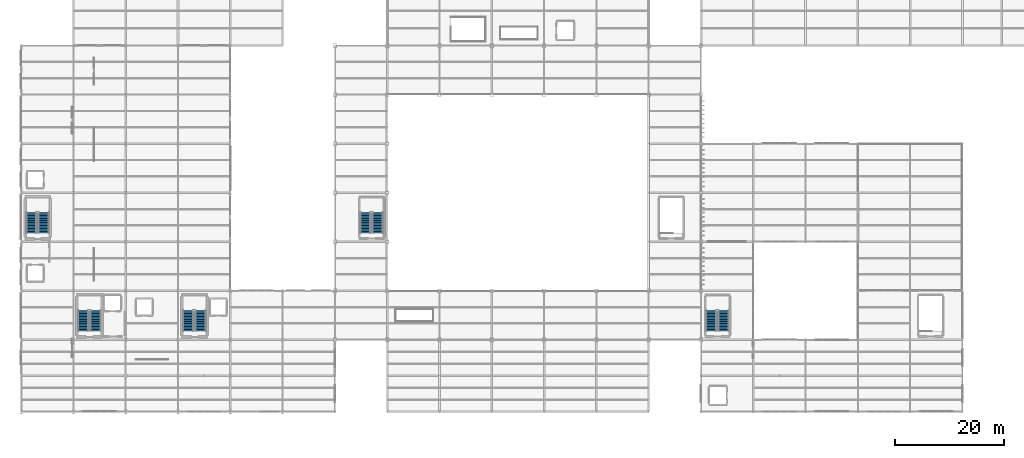
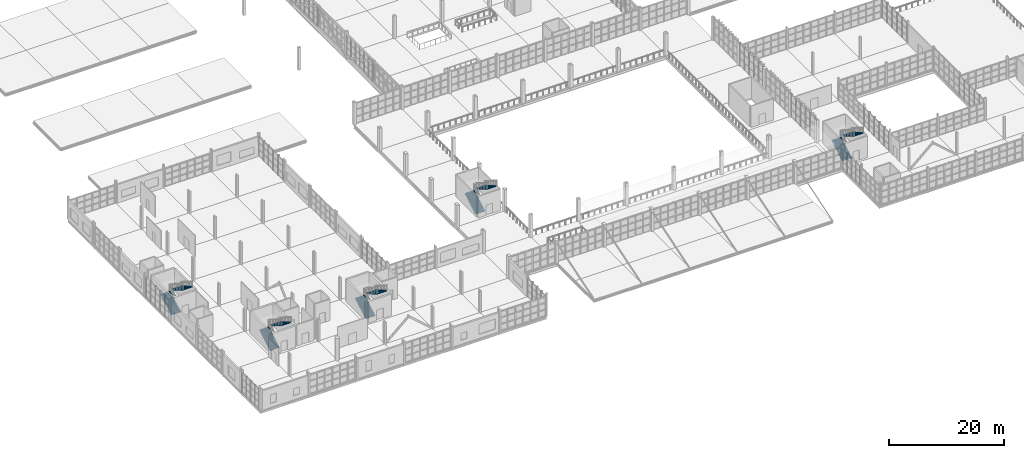
# One storey, part 112 of 120: 10 stair flights, 5 elements without a shape of their own.
"""IFC4 building model written with IfcOpenShell, lengths in metres."""

from ifc_helpers import new_model, si_unit, direction, frame, origin, place, context, subcontext, project, spatial, polyline, outline, extrude, material, type_object, element, aggregate, save


model = new_model("IFC4")

# Units and contexts
model_context = context("Model", 3, precision=1e-05, world=origin(), true_north=direction((0.0, 1.0)))
body_context = subcontext(model_context, "Body", "Model", "MODEL_VIEW")
ifc_project = project(units=[si_unit("LENGTHUNIT", "METRE"), si_unit("AREAUNIT", "SQUARE_METRE"), si_unit("VOLUMEUNIT", "CUBIC_METRE"), si_unit("PLANEANGLEUNIT", "RADIAN"), si_unit("MASSUNIT", "GRAM", prefix="KILO")], contexts=[model_context])

# Site, building, storey
site_placement = place(None, origin())
site = spatial("IfcSite", under=ifc_project, at=site_placement, CompositionType="ELEMENT")
building_placement = place(site_placement, origin())
building = spatial("IfcBuilding", under=site, at=building_placement, Name="Zarnetskaya Central Station", CompositionType="ELEMENT")
storey_placement = place(building_placement, frame((0.0, 0.0, 5.39990234375)))
storey = spatial("IfcBuildingStorey", under=building, at=storey_placement, Name="L01", CompositionType="ELEMENT", Elevation=5.39990234375)

# Stair, stair flights
ifc_material = material(Name="Concrete C30/37", Category="concrete")
stair_type_1 = type_object("IfcStairType", Name="STAIR-ASSY-01", PredefinedType="HALF_TURN_STAIR", material=ifc_material)
stair_1_placement = place(storey_placement, origin())
stair_1 = element("IfcStair", 1, at=stair_1_placement, inside=storey, type_object=stair_type_1, Name="Exit Stair ST-C1 L01", PredefinedType="HALF_TURN_STAIR")
stair_flight_type_1 = type_object("IfcStairFlightType", Name="FLT-TYPE-01", PredefinedType="STRAIGHT", material=ifc_material)
stair_flight_1_placement = place(storey_placement, frame((11.39990234375, 14.800048828125, 0.0), z_axis=(0.0, 0.0, 1.0), x_axis=(0.0, 1.0, 0.0)))
stair_flight_1 = element("IfcStairFlight", 2, at=stair_flight_1_placement, type_object=stair_flight_type_1, Name="ST-03 flight 1", NumberOfRisers=15, NumberOfTreads=14, PredefinedType="STRAIGHT", RiserHeight=0.16, TreadLength=0.27, context=body_context, shape_type="SweptSolid", body=[
    extrude(outline(polyline([(0.0, 0.0), (0.0, 0.159912109375), (0.27001953125, 0.159912109375), (0.27001953125, 0.320068359375), (0.5400390625, 0.320068359375), (0.5400390625, 0.47998046875), (0.81005859375, 0.47998046875), (0.81005859375, 0.639892578125), (1.080078125, 0.639892578125), (1.080078125, 0.800048828125), (1.35009765625, 0.800048828125), (1.35009765625, 0.9599609375), (1.6201171875, 0.9599609375), (1.6201171875, 1.1201171875), (1.889892578125, 1.1201171875), (1.889892578125, 1.280029296875), (2.159912109375, 1.280029296875), (2.159912109375, 1.43994140625), (2.429931640625, 1.43994140625), (2.429931640625, 1.60009765625), (2.699951171875, 1.60009765625), (2.699951171875, 1.760009765625), (2.969970703125, 1.760009765625), (2.969970703125, 1.919921875), (3.239990234375, 1.919921875), (3.239990234375, 2.080078125), (3.510009765625, 2.080078125), (3.510009765625, 2.239990234375), (3.780029296875, 2.239990234375), (3.780029296875, 2.39990234375), (3.780029296875, 2.065673828125), (0.2939453125, 0.0), (0.0, 0.0)])), frame((0.0, 0.9599609375, 0.0), z_axis=(0.0, -1.0, 0.0), x_axis=(1.0, 0.0, 0.0)), (0.0, 0.0, 1.0), 1.919921875),
])
stair_flight_2_placement = place(storey_placement, frame((13.699951171875, 18.580078125, 2.400146484375), z_axis=(0.0, 0.0, 1.0), x_axis=(0.0, -1.0, 0.0)))
stair_flight_2 = element("IfcStairFlight", 3, at=stair_flight_2_placement, type_object=stair_flight_type_1, Name="ST-03 flight 2", NumberOfRisers=15, NumberOfTreads=14, PredefinedType="STRAIGHT", RiserHeight=0.16, TreadLength=0.27, context=body_context, shape_type="SweptSolid", body=[
    extrude(outline(polyline([(0.0, 0.0), (0.0, 0.159912109375), (0.27001953125, 0.159912109375), (0.27001953125, 0.320068359375), (0.5400390625, 0.320068359375), (0.5400390625, 0.47998046875), (0.81005859375, 0.47998046875), (0.81005859375, 0.639892578125), (1.080078125, 0.639892578125), (1.080078125, 0.800048828125), (1.35009765625, 0.800048828125), (1.35009765625, 0.9599609375), (1.6201171875, 0.9599609375), (1.6201171875, 1.1201171875), (1.889892578125, 1.1201171875), (1.889892578125, 1.280029296875), (2.159912109375, 1.280029296875), (2.159912109375, 1.43994140625), (2.429931640625, 1.43994140625), (2.429931640625, 1.60009765625), (2.699951171875, 1.60009765625), (2.699951171875, 1.760009765625), (2.969970703125, 1.760009765625), (2.969970703125, 1.919921875), (3.239990234375, 1.919921875), (3.239990234375, 2.080078125), (3.510009765625, 2.080078125), (3.510009765625, 2.239990234375), (3.780029296875, 2.239990234375), (3.780029296875, 2.39990234375), (3.780029296875, 2.065673828125), (0.2939453125, 0.0), (0.0, 0.0)])), frame((0.0, 0.9599609375, 0.0), z_axis=(0.0, -1.0, 0.0), x_axis=(1.0, 0.0, 0.0)), (0.0, 0.0, 1.0), 1.919921875),
])
aggregate(stair_1, [stair_flight_1, stair_flight_2])

stair_type_2 = type_object("IfcStairType", Name="STAIR-ASSY-02", PredefinedType="HALF_TURN_STAIR", material=ifc_material)
stair_2_placement = place(storey_placement, origin())
stair_2 = element("IfcStair", 4, at=stair_2_placement, inside=storey, type_object=stair_type_2, Name="Exit Stair ST-C2 L01", PredefinedType="HALF_TURN_STAIR")
stair_flight_type_2 = type_object("IfcStairFlightType", Name="FLT-TYPE-02", PredefinedType="STRAIGHT", material=ifc_material)
stair_flight_3_placement = place(storey_placement, frame((1.89990234375, 32.800048828125, 0.0), z_axis=(0.0, 0.0, 1.0), x_axis=(0.0, 1.0, 0.0)))
stair_flight_3 = element("IfcStairFlight", 5, at=stair_flight_3_placement, type_object=stair_flight_type_2, Name="ST-07 flight 1", NumberOfRisers=15, NumberOfTreads=14, PredefinedType="STRAIGHT", RiserHeight=0.16, TreadLength=0.27, context=body_context, shape_type="SweptSolid", body=[
    extrude(outline(polyline([(0.0, 0.0), (0.0, 0.159912109375), (0.27001953125, 0.159912109375), (0.27001953125, 0.320068359375), (0.5400390625, 0.320068359375), (0.5400390625, 0.47998046875), (0.81005859375, 0.47998046875), (0.81005859375, 0.639892578125), (1.080078125, 0.639892578125), (1.080078125, 0.800048828125), (1.35009765625, 0.800048828125), (1.35009765625, 0.9599609375), (1.6201171875, 0.9599609375), (1.6201171875, 1.1201171875), (1.889892578125, 1.1201171875), (1.889892578125, 1.280029296875), (2.159912109375, 1.280029296875), (2.159912109375, 1.43994140625), (2.429931640625, 1.43994140625), (2.429931640625, 1.60009765625), (2.699951171875, 1.60009765625), (2.699951171875, 1.760009765625), (2.969970703125, 1.760009765625), (2.969970703125, 1.919921875), (3.239990234375, 1.919921875), (3.239990234375, 2.080078125), (3.510009765625, 2.080078125), (3.510009765625, 2.239990234375), (3.780029296875, 2.239990234375), (3.780029296875, 2.39990234375), (3.780029296875, 2.065673828125), (0.2939453125, 0.0), (0.0, 0.0)])), frame((0.0, 0.9599609375, 0.0), z_axis=(0.0, -1.0, 0.0), x_axis=(1.0, 0.0, 0.0)), (0.0, 0.0, 1.0), 1.919921875),
])
stair_flight_4_placement = place(storey_placement, frame((4.199951171875, 36.580078125, 2.400146484375), z_axis=(0.0, 0.0, 1.0), x_axis=(0.0, -1.0, 0.0)))
stair_flight_4 = element("IfcStairFlight", 6, at=stair_flight_4_placement, type_object=stair_flight_type_2, Name="ST-07 flight 2", NumberOfRisers=15, NumberOfTreads=14, PredefinedType="STRAIGHT", RiserHeight=0.16, TreadLength=0.27, context=body_context, shape_type="SweptSolid", body=[
    extrude(outline(polyline([(0.0, 0.0), (0.0, 0.159912109375), (0.27001953125, 0.159912109375), (0.27001953125, 0.320068359375), (0.5400390625, 0.320068359375), (0.5400390625, 0.47998046875), (0.81005859375, 0.47998046875), (0.81005859375, 0.639892578125), (1.080078125, 0.639892578125), (1.080078125, 0.800048828125), (1.35009765625, 0.800048828125), (1.35009765625, 0.9599609375), (1.6201171875, 0.9599609375), (1.6201171875, 1.1201171875), (1.889892578125, 1.1201171875), (1.889892578125, 1.280029296875), (2.159912109375, 1.280029296875), (2.159912109375, 1.43994140625), (2.429931640625, 1.43994140625), (2.429931640625, 1.60009765625), (2.699951171875, 1.60009765625), (2.699951171875, 1.760009765625), (2.969970703125, 1.760009765625), (2.969970703125, 1.919921875), (3.239990234375, 1.919921875), (3.239990234375, 2.080078125), (3.510009765625, 2.080078125), (3.510009765625, 2.239990234375), (3.780029296875, 2.239990234375), (3.780029296875, 2.39990234375), (3.780029296875, 2.065673828125), (0.2939453125, 0.0), (0.0, 0.0)])), frame((0.0, 0.9599609375, 0.0), z_axis=(0.0, -1.0, 0.0), x_axis=(1.0, 0.0, 0.0)), (0.0, 0.0, 1.0), 1.919921875),
])
aggregate(stair_2, [stair_flight_3, stair_flight_4])

stair_type_3 = type_object("IfcStairType", Name="STAIR-ASSY-03", PredefinedType="HALF_TURN_STAIR", material=ifc_material)
stair_3_placement = place(storey_placement, origin())
stair_3 = element("IfcStair", 7, at=stair_3_placement, inside=storey, type_object=stair_type_3, Name="Exit Stair ST-C3 L01", PredefinedType="HALF_TURN_STAIR")
stair_flight_type_3 = type_object("IfcStairFlightType", Name="FLT-TYPE-03", PredefinedType="STRAIGHT", material=ifc_material)
stair_flight_5_placement = place(storey_placement, frame((30.699951171875, 14.800048828125, 0.0), z_axis=(0.0, 0.0, 1.0), x_axis=(0.0, 1.0, 0.0)))
stair_flight_5 = element("IfcStairFlight", 8, at=stair_flight_5_placement, type_object=stair_flight_type_3, Name="ST-04 flight 1", NumberOfRisers=15, NumberOfTreads=14, PredefinedType="STRAIGHT", RiserHeight=0.16, TreadLength=0.27, context=body_context, shape_type="SweptSolid", body=[
    extrude(outline(polyline([(0.0, 0.0), (0.0, 0.159912109375), (0.27001953125, 0.159912109375), (0.27001953125, 0.320068359375), (0.5400390625, 0.320068359375), (0.5400390625, 0.47998046875), (0.81005859375, 0.47998046875), (0.81005859375, 0.639892578125), (1.080078125, 0.639892578125), (1.080078125, 0.800048828125), (1.35009765625, 0.800048828125), (1.35009765625, 0.9599609375), (1.6201171875, 0.9599609375), (1.6201171875, 1.1201171875), (1.889892578125, 1.1201171875), (1.889892578125, 1.280029296875), (2.159912109375, 1.280029296875), (2.159912109375, 1.43994140625), (2.429931640625, 1.43994140625), (2.429931640625, 1.60009765625), (2.699951171875, 1.60009765625), (2.699951171875, 1.760009765625), (2.969970703125, 1.760009765625), (2.969970703125, 1.919921875), (3.239990234375, 1.919921875), (3.239990234375, 2.080078125), (3.510009765625, 2.080078125), (3.510009765625, 2.239990234375), (3.780029296875, 2.239990234375), (3.780029296875, 2.39990234375), (3.780029296875, 2.065673828125), (0.2939453125, 0.0), (0.0, 0.0)])), frame((0.0, 0.9599609375, 0.0), z_axis=(0.0, -1.0, 0.0), x_axis=(1.0, 0.0, 0.0)), (0.0, 0.0, 1.0), 1.919921875),
])
stair_flight_6_placement = place(storey_placement, frame((33.0, 18.580078125, 2.400146484375), z_axis=(0.0, 0.0, 1.0), x_axis=(0.0, -1.0, 0.0)))
stair_flight_6 = element("IfcStairFlight", 9, at=stair_flight_6_placement, type_object=stair_flight_type_3, Name="ST-04 flight 2", NumberOfRisers=15, NumberOfTreads=14, PredefinedType="STRAIGHT", RiserHeight=0.16, TreadLength=0.27, context=body_context, shape_type="SweptSolid", body=[
    extrude(outline(polyline([(0.0, 0.0), (0.0, 0.159912109375), (0.27001953125, 0.159912109375), (0.27001953125, 0.320068359375), (0.5400390625, 0.320068359375), (0.5400390625, 0.47998046875), (0.81005859375, 0.47998046875), (0.81005859375, 0.639892578125), (1.080078125, 0.639892578125), (1.080078125, 0.800048828125), (1.35009765625, 0.800048828125), (1.35009765625, 0.9599609375), (1.6201171875, 0.9599609375), (1.6201171875, 1.1201171875), (1.889892578125, 1.1201171875), (1.889892578125, 1.280029296875), (2.159912109375, 1.280029296875), (2.159912109375, 1.43994140625), (2.429931640625, 1.43994140625), (2.429931640625, 1.60009765625), (2.699951171875, 1.60009765625), (2.699951171875, 1.760009765625), (2.969970703125, 1.760009765625), (2.969970703125, 1.919921875), (3.239990234375, 1.919921875), (3.239990234375, 2.080078125), (3.510009765625, 2.080078125), (3.510009765625, 2.239990234375), (3.780029296875, 2.239990234375), (3.780029296875, 2.39990234375), (3.780029296875, 2.065673828125), (0.2939453125, 0.0), (0.0, 0.0)])), frame((0.0, 0.9599609375, 0.0), z_axis=(0.0, -1.0, 0.0), x_axis=(1.0, 0.0, 0.0)), (0.0, 0.0, 1.0), 1.919921875),
])
aggregate(stair_3, [stair_flight_5, stair_flight_6])

stair_type_4 = type_object("IfcStairType", Name="STAIR-ASSY-04", PredefinedType="HALF_TURN_STAIR", material=ifc_material)
stair_4_placement = place(storey_placement, origin())
stair_4 = element("IfcStair", 10, at=stair_4_placement, inside=storey, type_object=stair_type_4, Name="Exit Stair ST-H1 L01", PredefinedType="HALF_TURN_STAIR")
stair_flight_type_4 = type_object("IfcStairFlightType", Name="FLT-TYPE-04", PredefinedType="STRAIGHT", material=ifc_material)
stair_flight_7_placement = place(storey_placement, frame((63.199951171875, 32.800048828125, 0.0), z_axis=(0.0, 0.0, 1.0), x_axis=(0.0, 1.0, 0.0)))
stair_flight_7 = element("IfcStairFlight", 11, at=stair_flight_7_placement, type_object=stair_flight_type_4, Name="ST-10 flight 1", NumberOfRisers=15, NumberOfTreads=14, PredefinedType="STRAIGHT", RiserHeight=0.16, TreadLength=0.27, context=body_context, shape_type="SweptSolid", body=[
    extrude(outline(polyline([(0.0, 0.0), (0.0, 0.159912109375), (0.27001953125, 0.159912109375), (0.27001953125, 0.320068359375), (0.5400390625, 0.320068359375), (0.5400390625, 0.47998046875), (0.81005859375, 0.47998046875), (0.81005859375, 0.639892578125), (1.080078125, 0.639892578125), (1.080078125, 0.800048828125), (1.35009765625, 0.800048828125), (1.35009765625, 0.9599609375), (1.6201171875, 0.9599609375), (1.6201171875, 1.1201171875), (1.889892578125, 1.1201171875), (1.889892578125, 1.280029296875), (2.159912109375, 1.280029296875), (2.159912109375, 1.43994140625), (2.429931640625, 1.43994140625), (2.429931640625, 1.60009765625), (2.699951171875, 1.60009765625), (2.699951171875, 1.760009765625), (2.969970703125, 1.760009765625), (2.969970703125, 1.919921875), (3.239990234375, 1.919921875), (3.239990234375, 2.080078125), (3.510009765625, 2.080078125), (3.510009765625, 2.239990234375), (3.780029296875, 2.239990234375), (3.780029296875, 2.39990234375), (3.780029296875, 2.065673828125), (0.2939453125, 0.0), (0.0, 0.0)])), frame((0.0, 0.9599609375, 0.0), z_axis=(0.0, -1.0, 0.0), x_axis=(1.0, 0.0, 0.0)), (0.0, 0.0, 1.0), 1.919921875),
])
stair_flight_8_placement = place(storey_placement, frame((65.5, 36.580078125, 2.400146484375), z_axis=(0.0, 0.0, 1.0), x_axis=(0.0, -1.0, 0.0)))
stair_flight_8 = element("IfcStairFlight", 12, at=stair_flight_8_placement, type_object=stair_flight_type_4, Name="ST-10 flight 2", NumberOfRisers=15, NumberOfTreads=14, PredefinedType="STRAIGHT", RiserHeight=0.16, TreadLength=0.27, context=body_context, shape_type="SweptSolid", body=[
    extrude(outline(polyline([(0.0, 0.0), (0.0, 0.159912109375), (0.27001953125, 0.159912109375), (0.27001953125, 0.320068359375), (0.5400390625, 0.320068359375), (0.5400390625, 0.47998046875), (0.81005859375, 0.47998046875), (0.81005859375, 0.639892578125), (1.080078125, 0.639892578125), (1.080078125, 0.800048828125), (1.35009765625, 0.800048828125), (1.35009765625, 0.9599609375), (1.6201171875, 0.9599609375), (1.6201171875, 1.1201171875), (1.889892578125, 1.1201171875), (1.889892578125, 1.280029296875), (2.159912109375, 1.280029296875), (2.159912109375, 1.43994140625), (2.429931640625, 1.43994140625), (2.429931640625, 1.60009765625), (2.699951171875, 1.60009765625), (2.699951171875, 1.760009765625), (2.969970703125, 1.760009765625), (2.969970703125, 1.919921875), (3.239990234375, 1.919921875), (3.239990234375, 2.080078125), (3.510009765625, 2.080078125), (3.510009765625, 2.239990234375), (3.780029296875, 2.239990234375), (3.780029296875, 2.39990234375), (3.780029296875, 2.065673828125), (0.2939453125, 0.0), (0.0, 0.0)])), frame((0.0, 0.9599609375, 0.0), z_axis=(0.0, -1.0, 0.0), x_axis=(1.0, 0.0, 0.0)), (0.0, 0.0, 1.0), 1.919921875),
])
aggregate(stair_4, [stair_flight_7, stair_flight_8])

stair_type_5 = type_object("IfcStairType", Name="STAIR-ASSY-05", PredefinedType="HALF_TURN_STAIR", material=ifc_material)
stair_5_placement = place(storey_placement, origin())
stair_5 = element("IfcStair", 13, at=stair_5_placement, inside=storey, type_object=stair_type_5, Name="Exit Stair ST-V1 L01", PredefinedType="HALF_TURN_STAIR")
stair_flight_type_5 = type_object("IfcStairFlightType", Name="FLT-TYPE-05", PredefinedType="STRAIGHT", material=ifc_material)
stair_flight_9_placement = place(storey_placement, frame((126.699951171875, 14.800048828125, 0.0), z_axis=(0.0, 0.0, 1.0), x_axis=(0.0, 1.0, 0.0)))
stair_flight_9 = element("IfcStairFlight", 14, at=stair_flight_9_placement, type_object=stair_flight_type_5, Name="ST-06 flight 1", NumberOfRisers=15, NumberOfTreads=14, PredefinedType="STRAIGHT", RiserHeight=0.16, TreadLength=0.27, context=body_context, shape_type="SweptSolid", body=[
    extrude(outline(polyline([(0.0, 0.0), (0.0, 0.159912109375), (0.27001953125, 0.159912109375), (0.27001953125, 0.320068359375), (0.5400390625, 0.320068359375), (0.5400390625, 0.47998046875), (0.81005859375, 0.47998046875), (0.81005859375, 0.639892578125), (1.080078125, 0.639892578125), (1.080078125, 0.800048828125), (1.35009765625, 0.800048828125), (1.35009765625, 0.9599609375), (1.6201171875, 0.9599609375), (1.6201171875, 1.1201171875), (1.889892578125, 1.1201171875), (1.889892578125, 1.280029296875), (2.159912109375, 1.280029296875), (2.159912109375, 1.43994140625), (2.429931640625, 1.43994140625), (2.429931640625, 1.60009765625), (2.699951171875, 1.60009765625), (2.699951171875, 1.760009765625), (2.969970703125, 1.760009765625), (2.969970703125, 1.919921875), (3.239990234375, 1.919921875), (3.239990234375, 2.080078125), (3.510009765625, 2.080078125), (3.510009765625, 2.239990234375), (3.780029296875, 2.239990234375), (3.780029296875, 2.39990234375), (3.780029296875, 2.065673828125), (0.2939453125, 0.0), (0.0, 0.0)])), frame((0.0, 0.9599609375, 0.0), z_axis=(0.0, -1.0, 0.0), x_axis=(1.0, 0.0, 0.0)), (0.0, 0.0, 1.0), 1.919921875),
])
stair_flight_10_placement = place(storey_placement, frame((129.0, 18.580078125, 2.400146484375), z_axis=(0.0, 0.0, 1.0), x_axis=(0.0, -1.0, 0.0)))
stair_flight_10 = element("IfcStairFlight", 15, at=stair_flight_10_placement, type_object=stair_flight_type_5, Name="ST-06 flight 2", NumberOfRisers=15, NumberOfTreads=14, PredefinedType="STRAIGHT", RiserHeight=0.16, TreadLength=0.27, context=body_context, shape_type="SweptSolid", body=[
    extrude(outline(polyline([(0.0, 0.0), (0.0, 0.159912109375), (0.27001953125, 0.159912109375), (0.27001953125, 0.320068359375), (0.5400390625, 0.320068359375), (0.5400390625, 0.47998046875), (0.81005859375, 0.47998046875), (0.81005859375, 0.639892578125), (1.080078125, 0.639892578125), (1.080078125, 0.800048828125), (1.35009765625, 0.800048828125), (1.35009765625, 0.9599609375), (1.6201171875, 0.9599609375), (1.6201171875, 1.1201171875), (1.889892578125, 1.1201171875), (1.889892578125, 1.280029296875), (2.159912109375, 1.280029296875), (2.159912109375, 1.43994140625), (2.429931640625, 1.43994140625), (2.429931640625, 1.60009765625), (2.699951171875, 1.60009765625), (2.699951171875, 1.760009765625), (2.969970703125, 1.760009765625), (2.969970703125, 1.919921875), (3.239990234375, 1.919921875), (3.239990234375, 2.080078125), (3.510009765625, 2.080078125), (3.510009765625, 2.239990234375), (3.780029296875, 2.239990234375), (3.780029296875, 2.39990234375), (3.780029296875, 2.065673828125), (0.2939453125, 0.0), (0.0, 0.0)])), frame((0.0, 0.9599609375, 0.0), z_axis=(0.0, -1.0, 0.0), x_axis=(1.0, 0.0, 0.0)), (0.0, 0.0, 1.0), 1.919921875),
])
aggregate(stair_5, [stair_flight_9, stair_flight_10])

save(model, "model.ifc")
